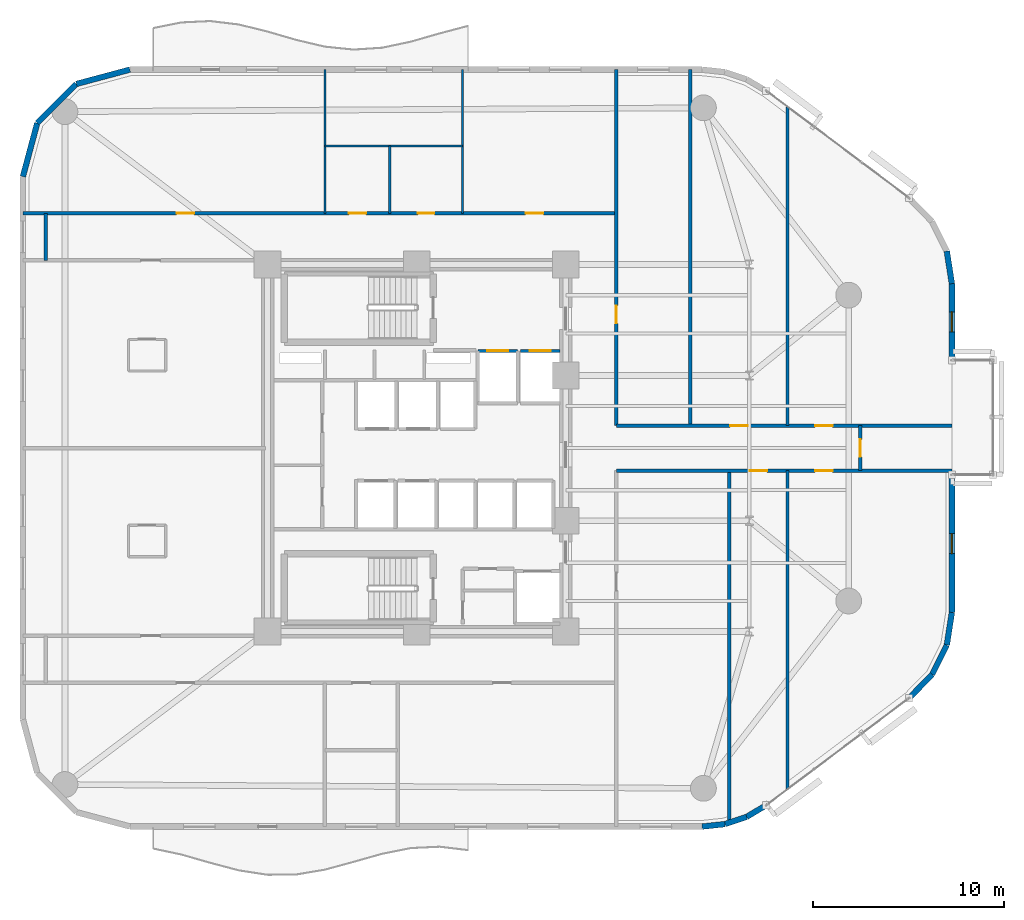
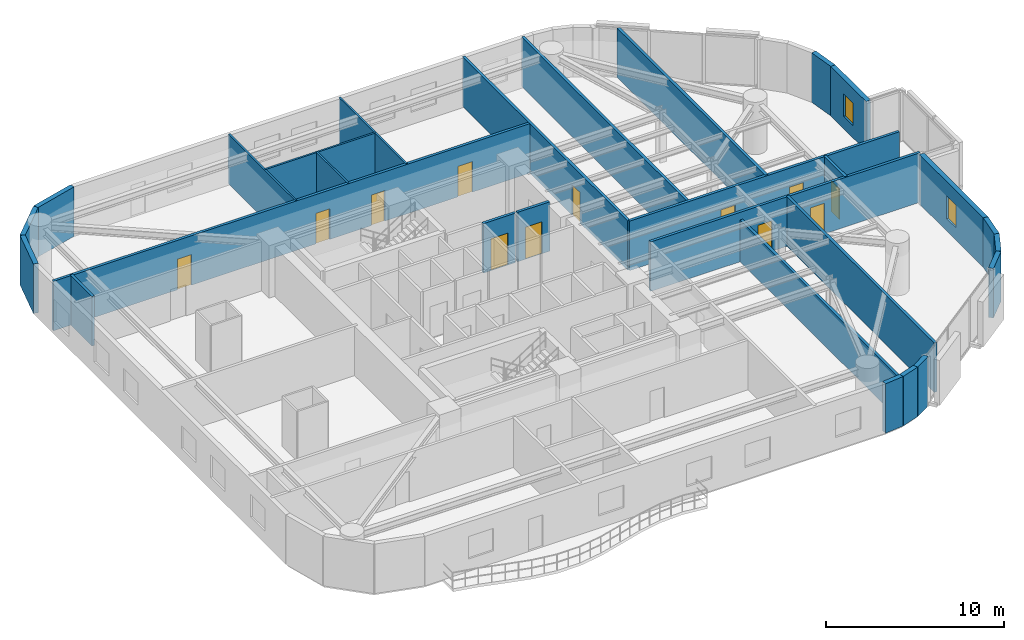
# One storey, part 10 of 14: 28 walls, 12 doors, 2 windows, 14 openings.
"""IFC4 building model written with IfcOpenShell, lengths in metres."""

import ifcopenshell
import ifcopenshell.guid

model = None  # the IFC model being written
_history = None  # IfcOwnerHistory: only IFC2X3 demands one
_inside = {}  # id of a spatial element -> (the spatial element, [elements in it])
_under = {}  # id of a project, library or spatial element -> (it, [spatial elements below it])
_declared = {}  # id of a project -> (the project, [libraries it declares])
_typed = {}  # id of a type object -> (the type object, [elements of that type])
_made_of = {}  # id of a material, layer set ... -> (it, [elements and type objects made of it])


def new_model(schema):
    """Start an empty IFC model of exactly this schema.

    Asked for "IFC4X3", IfcOpenShell would pick the latest addendum, in which some entities
    have other attributes; the version numbers below select the first issue.
    IFC2X3 requires an IfcOwnerHistory on every rooted entity: one is made here for all.
    """
    global model, _history
    if schema == "IFC4X3":
        model = ifcopenshell.file(schema_version=(4, 3, 0, 0))
    else:
        model = ifcopenshell.file(schema=schema)
    _inside.clear()
    _under.clear()
    _declared.clear()
    _typed.clear()
    _made_of.clear()
    _history = None
    if model.schema == "IFC2X3":
        org = make("IfcOrganization", Name="unknown")
        user = make(
            "IfcPersonAndOrganization",
            ThePerson=make("IfcPerson", FamilyName="unknown"),
            TheOrganization=org,
        )
        app = make(
            "IfcApplication",
            ApplicationDeveloper=org,
            Version="unknown",
            ApplicationFullName="unknown",
            ApplicationIdentifier="unknown",
        )
        _history = make(
            "IfcOwnerHistory",
            OwningUser=user,
            OwningApplication=app,
            ChangeAction="ADDED",
            CreationDate=0,
        )
    return model


def make(cls, **values):
    """One entity of the class cls with the attributes given. An attribute that is None is left unset."""
    return model.create_entity(
        cls, **{name: value for name, value in values.items() if value is not None}
    )


def rooted(cls, **values):
    """An entity with a GlobalId (a new one), such as an element, a storey or a relation."""
    return make(cls, GlobalId=ifcopenshell.guid.new(), OwnerHistory=_history, **values)


def si_unit(unit_type, name, prefix=None):
    """IfcSIUnit, for example si_unit("LENGTHUNIT", "METRE", prefix="MILLI")."""
    return make("IfcSIUnit", UnitType=unit_type, Prefix=prefix, Name=name)


def assignment(units):
    """IfcUnitAssignment: the units of a project."""
    return None if units is None else make("IfcUnitAssignment", Units=units)


def point(xyz):
    """IfcCartesianPoint."""
    return None if xyz is None else make("IfcCartesianPoint", Coordinates=xyz)


def direction(xyz):
    """IfcDirection."""
    return None if xyz is None else make("IfcDirection", DirectionRatios=xyz)


def frame(location, z_axis=None, x_axis=None):
    """IfcAxis2Placement3D, a coordinate frame: its origin and axes. An axis left out is left unset."""
    return make(
        "IfcAxis2Placement3D",
        Location=point(location),
        Axis=direction(z_axis),
        RefDirection=direction(x_axis),
    )


def frame_2d(location, x_axis=None):
    """IfcAxis2Placement2D, a coordinate frame in the plane: its origin and x axis."""
    return make(
        "IfcAxis2Placement2D", Location=point(location), RefDirection=direction(x_axis)
    )


def origin():
    """The frame at (0, 0, 0) with its axes left unset."""
    return frame((0.0, 0.0, 0.0))


def place(relative_to, where):
    """IfcLocalPlacement: puts the frame where relative to a parent placement (None: the world)."""
    return make(
        "IfcLocalPlacement", PlacementRelTo=relative_to, RelativePlacement=where
    )


def context(
    kind, dimensions, precision=None, world=None, true_north=None, identifier=None
):
    """IfcGeometricRepresentationContext, for example the 3D "Model" context."""
    return make(
        "IfcGeometricRepresentationContext",
        ContextIdentifier=identifier,
        ContextType=kind,
        CoordinateSpaceDimension=dimensions,
        Precision=precision,
        WorldCoordinateSystem=world,
        TrueNorth=true_north,
    )


def subcontext(parent, identifier, kind, view, scale=None):
    """IfcGeometricRepresentationSubContext, for example "Body" below "Model"."""
    return make(
        "IfcGeometricRepresentationSubContext",
        ContextIdentifier=identifier,
        ContextType=kind,
        ParentContext=parent,
        TargetScale=scale,
        TargetView=view,
    )


def project(units=None, contexts=None):
    """IfcProject with its units and contexts."""
    return rooted(
        "IfcProject",
        Name="project",
        RepresentationContexts=contexts,
        UnitsInContext=assignment(units),
    )


def spatial(cls, under=None, at=None, **own):
    """A site, building, storey or space (cls), placed at a placement, below another one or the project."""
    s = rooted(cls, ObjectPlacement=at, **own)
    if under is not None:
        _under.setdefault(under.id(), (under, []))[1].append(s)
    return s


def profile(cls, at=None, kind="AREA", **sizes):
    """A parametric profile (cls). Its sizes go by their IFC names, for example OverallWidth=200.0."""
    return make(cls, ProfileType=kind, Position=at, **sizes)


def rectangle(**sizes):
    """IfcRectangleProfileDef."""
    return profile("IfcRectangleProfileDef", **sizes)


def extrude(swept, where, along, depth):
    """IfcExtrudedAreaSolid: the profile swept, set in the frame where, extruded along a direction by depth."""
    return make(
        "IfcExtrudedAreaSolid",
        SweptArea=swept,
        Position=where,
        ExtrudedDirection=direction(along),
        Depth=depth,
    )


def shape(context_of_items, identifier, shape_type, items):
    """IfcShapeRepresentation: the items that make up one representation, for example the "Body"."""
    return make(
        "IfcShapeRepresentation",
        ContextOfItems=context_of_items,
        RepresentationIdentifier=identifier,
        RepresentationType=shape_type,
        Items=items,
    )


def material(Name=None, Category=None):
    """IfcMaterial."""
    return make("IfcMaterial", Name=Name, Category=Category)


def layer(
    of_material, thickness, ventilated=None, Name=None, Category=None, Priority=None
):
    """IfcMaterialLayer: one layer of a wall or slab, of a material (None: an air gap)."""
    return make(
        "IfcMaterialLayer",
        Material=of_material,
        LayerThickness=thickness,
        IsVentilated=ventilated,
        Name=Name,
        Category=Category,
        Priority=Priority,
    )


def layer_set(layers, Name=None):
    """IfcMaterialLayerSet."""
    return make("IfcMaterialLayerSet", MaterialLayers=layers, LayerSetName=Name)


def made_of(thing, what):
    """Note that an element or type object is made of a material, layer set ...; save() writes the relation."""
    if what is not None:
        _made_of.setdefault(what.id(), (what, []))[1].append(thing)
    return thing


def type_object(cls, material=None, **own):
    """A type object (cls), such as IfcWallType, which elements share."""
    return made_of(rooted(cls, **own), material)


def element(
    cls,
    number,
    at=None,
    inside=None,
    cuts=None,
    type_object=None,
    material=None,
    context=None,
    identifier="Body",
    shape_type=None,
    held_by="IfcProductDefinitionShape",
    body=None,
    shapes=None,
    **own,
):
    """One element of the class cls, such as IfcWall. Its Tag is "e" and its number.

    at: its placement. inside: the storey or other place that contains it. cuts: it is an
    opening in that element (IfcRelVoidsElement). A single representation is given by context,
    identifier, shape_type and body (its items); several are given by shapes. held_by: the class
    of the entity that holds the representations. save() writes the other relations.
    """
    e = rooted(cls, Tag="e%d" % number, ObjectPlacement=at, **own)
    if body is not None:
        shapes = [shape(context, identifier, shape_type, body)]
    if shapes is not None:
        e.Representation = make(held_by, Representations=shapes)
    if inside is not None:
        _inside.setdefault(inside.id(), (inside, []))[1].append(e)
    if cuts is not None:
        rooted(
            "IfcRelVoidsElement", RelatingBuildingElement=cuts, RelatedOpeningElement=e
        )
    if type_object is not None:
        _typed.setdefault(type_object.id(), (type_object, []))[1].append(e)
    return made_of(e, material)


def fill(opening, filler):
    """IfcRelFillsElement: the door or window that sits in an opening."""
    return rooted(
        "IfcRelFillsElement",
        RelatingOpeningElement=opening,
        RelatedBuildingElement=filler,
    )


def aggregate(whole, parts):
    """IfcRelAggregates: a whole, such as a stair, and the parts it consists of."""
    return rooted("IfcRelAggregates", RelatingObject=whole, RelatedObjects=parts)


def save(model, path):
    """Write the relations noted so far, then the file.

    IfcRelAggregates (storeys below a building ...), IfcRelContainedInSpatialStructure (elements
    in a storey), IfcRelDefinesByType, IfcRelAssociatesMaterial and IfcRelDeclares: one each for
    every whole, place, type object, material and project.
    """
    for whole, parts in _under.values():
        aggregate(whole, parts)
    for where, things in _inside.values():
        rooted(
            "IfcRelContainedInSpatialStructure",
            RelatedElements=things,
            RelatingStructure=where,
        )
    for kind, things in _typed.values():
        rooted("IfcRelDefinesByType", RelatedObjects=things, RelatingType=kind)
    for what, things in _made_of.values():
        rooted("IfcRelAssociatesMaterial", RelatedObjects=things, RelatingMaterial=what)
    for by, libraries in _declared.values():
        rooted("IfcRelDeclares", RelatingContext=by, RelatedDefinitions=libraries)
    model.write(path)


model = new_model("IFC4")

# Units and contexts
model_context = context("Model", 3, precision=1e-05, world=origin(), true_north=direction((0.0, 1.0)))
body_context = subcontext(model_context, "Body", "Model", "MODEL_VIEW")
ifc_project = project(units=[si_unit("LENGTHUNIT", "METRE"), si_unit("AREAUNIT", "SQUARE_METRE"), si_unit("VOLUMEUNIT", "CUBIC_METRE"), si_unit("PLANEANGLEUNIT", "RADIAN"), si_unit("MASSUNIT", "GRAM", prefix="KILO")], contexts=[model_context])

# Site, building, storey
site_placement = place(None, origin())
site = spatial("IfcSite", under=ifc_project, at=site_placement, CompositionType="ELEMENT")
building_placement = place(site_placement, origin())
building = spatial("IfcBuilding", under=site, at=building_placement, Name="An Khanh Terracotta Commons", CompositionType="ELEMENT")
storey_placement = place(building_placement, frame((0.0, 0.0, 115.10009765625)))
storey = spatial("IfcBuildingStorey", under=building, at=storey_placement, Name="L30", CompositionType="ELEMENT", Elevation=115.10009765625)

# Wall, opening, door
ifc_material_1 = material(Name="Fire-Rated Gypsum Board on Steel Stud", Category="steel")
ifc_layer_1 = layer(ifc_material_1, 0.179931640625, Name="Fire-Rated Gypsum Board on Steel Stud")
ifc_layer_set_1 = layer_set([ifc_layer_1], Name="Fire-Rated Gypsum Board on Steel Stud")
wall_type_1 = type_object("IfcWallType", Name="WALL-CORR-180", PredefinedType="PARTITIONING", material=ifc_layer_set_1)
wall_1_placement = place(storey_placement, frame((32.60009765625, 29.080078125, 0.0), z_axis=(0.0, 0.0, 1.0), x_axis=(1.0, 0.0, 0.0)))
wall_1 = element("IfcWall", 1, at=wall_1_placement, inside=storey, type_object=wall_type_1, Name="L30 Core Wall LSH-L30-FFL-01-N", PredefinedType="PARTITIONING", context=body_context, shape_type="SweptSolid", body=[
    extrude(rectangle(XDim=2.079833984375, YDim=0.179931640625, at=frame_2d((1.0400390625, 0.0))), origin(), (0.0, 0.0, 1.0), 3.39990234375),
])
opening_1_placement = place(wall_1_placement, frame((0.489990234375, 0.0, 0.0)))
opening_1 = element("IfcOpeningElement", 2, at=opening_1_placement, cuts=wall_1, Name="Opening LD-FFL-01-L30", PredefinedType="OPENING", context=body_context, shape_type="SweptSolid", body=[
    extrude(rectangle(XDim=1.10009765625, YDim=2.199951171875, at=frame_2d((0.550048828125, 1.10009765625))), frame((0.0, 0.099853515625, 0.0), z_axis=(0.0, -1.0, 0.0), x_axis=(1.0, 0.0, 0.0)), (0.0, 0.0, 1.0), 0.199951171875),
])
ifc_material_2 = material(Name="Brushed Stainless Steel Fire Landing Door", Category="steel")
door_type_1 = type_object("IfcDoorType", Name="DOOR-LD-FFL-1100", OperationType="NOTDEFINED", PredefinedType="DOOR", material=ifc_material_2)
door_1_placement = place(opening_1_placement, origin())
door_1 = element("IfcDoor", 3, at=door_1_placement, inside=storey, type_object=door_type_1, Name="L30 Lift FFL-01 Sliding Landing Door", OperationType="DOUBLE_DOOR_SLIDING", OverallHeight=2.199951171875, OverallWidth=1.10009765625, PredefinedType="DOOR", context=body_context, shape_type="SweptSolid", body=[
    extrude(rectangle(XDim=1.10009765625, YDim=2.199951171875, at=frame_2d((0.550048828125, 1.10009765625))), frame((0.0, 0.02490234375, 0.0), z_axis=(0.0, -1.0, 0.0), x_axis=(1.0, 0.0, 0.0)), (0.0, 0.0, 1.0), 0.050048828125),
])
fill(opening_1, door_1)

wall_2_placement = place(storey_placement, frame((34.820068359375, 29.080078125, 0.0), z_axis=(0.0, 0.0, 1.0), x_axis=(1.0, 0.0, 0.0)))
wall_2 = element("IfcWall", 4, at=wall_2_placement, inside=storey, type_object=wall_type_1, Name="L30 Core Wall LSH-L30-FFL-02-N", PredefinedType="PARTITIONING", context=body_context, shape_type="SweptSolid", body=[
    extrude(rectangle(XDim=2.079833984375, YDim=0.179931640625, at=frame_2d((1.0400390625, 0.0))), origin(), (0.0, 0.0, 1.0), 3.39990234375),
])
opening_2_placement = place(wall_2_placement, frame((0.489990234375, 0.0, 0.0)))
opening_2 = element("IfcOpeningElement", 5, at=opening_2_placement, cuts=wall_2, Name="Opening LD-FFL-02-L30", PredefinedType="OPENING", context=body_context, shape_type="SweptSolid", body=[
    extrude(rectangle(XDim=1.10009765625, YDim=2.199951171875, at=frame_2d((0.550048828125, 1.10009765625))), frame((0.0, 0.099853515625, 0.0), z_axis=(0.0, -1.0, 0.0), x_axis=(1.0, 0.0, 0.0)), (0.0, 0.0, 1.0), 0.199951171875),
])
door_2_placement = place(opening_2_placement, origin())
door_2 = element("IfcDoor", 6, at=door_2_placement, inside=storey, type_object=door_type_1, Name="L30 Lift FFL-02 Sliding Landing Door", OperationType="DOUBLE_DOOR_SLIDING", OverallHeight=2.199951171875, OverallWidth=1.10009765625, PredefinedType="DOOR", context=body_context, shape_type="SweptSolid", body=[
    extrude(rectangle(XDim=1.10009765625, YDim=2.199951171875, at=frame_2d((0.550048828125, 1.10009765625))), frame((0.0, 0.02490234375, 0.0), z_axis=(0.0, -1.0, 0.0), x_axis=(1.0, 0.0, 0.0)), (0.0, 0.0, 1.0), 0.050048828125),
])
fill(opening_2, door_2)

# Wall, openings, doors
wall_3_placement = place(storey_placement, frame((39.85009765625, 22.820068359375, 0.0), z_axis=(0.0, 0.0, 1.0), x_axis=(1.0, 0.0, 0.0)))
wall_3 = element("IfcWall", 7, at=wall_3_placement, inside=storey, type_object=wall_type_1, Name="L30 Interior Partition IW-L30-E004", PredefinedType="PARTITIONING", context=body_context, shape_type="SweptSolid", body=[
    extrude(rectangle(XDim=17.5498046875, YDim=0.179931640625, at=frame_2d((8.77490234375, 0.0))), origin(), (0.0, 0.0, 1.0), 3.39990234375),
])
opening_3_placement = place(wall_3_placement, frame((6.968017578125, 0.0, 0.0)))
opening_3 = element("IfcOpeningElement", 8, at=opening_3_placement, cuts=wall_3, Name="Opening D-RM", PredefinedType="OPENING", context=body_context, shape_type="SweptSolid", body=[
    extrude(rectangle(XDim=0.919921875, YDim=2.10009765625, at=frame_2d((0.4599609375, 1.050048828125))), frame((0.0, 0.099853515625, 0.0), z_axis=(0.0, -1.0, 0.0), x_axis=(1.0, 0.0, 0.0)), (0.0, 0.0, 1.0), 0.199951171875),
])
opening_4_placement = place(wall_3_placement, frame((10.389892578125, 0.0, 0.0)))
opening_4 = element("IfcOpeningElement", 9, at=opening_4_placement, cuts=wall_3, Name="Opening D-RM", PredefinedType="OPENING", context=body_context, shape_type="SweptSolid", body=[
    extrude(rectangle(XDim=0.919921875, YDim=2.10009765625, at=frame_2d((0.4599609375, 1.050048828125))), frame((0.0, 0.099853515625, 0.0), z_axis=(0.0, -1.0, 0.0), x_axis=(1.0, 0.0, 0.0)), (0.0, 0.0, 1.0), 0.199951171875),
])
ifc_material_3 = material(Name="Engineered Hardwood Timber Leaf", Category="wood")
door_type_2 = type_object("IfcDoorType", Name="DOOR-INT-920", OperationType="NOTDEFINED", PredefinedType="DOOR", material=ifc_material_3)
door_3_placement = place(opening_3_placement, origin())
door_3 = element("IfcDoor", 10, at=door_3_placement, inside=storey, type_object=door_type_2, Name="L30 SB2 Co-Living Master Bedroom Door", OperationType="SINGLE_SWING_RIGHT", OverallHeight=2.10009765625, OverallWidth=0.919921875, PredefinedType="DOOR", context=body_context, shape_type="SweptSolid", body=[
    extrude(rectangle(XDim=0.919921875, YDim=2.10009765625, at=frame_2d((0.4599609375, 1.050048828125))), frame((0.0, 0.02490234375, 0.0), z_axis=(0.0, -1.0, 0.0), x_axis=(1.0, 0.0, 0.0)), (0.0, 0.0, 1.0), 0.050048828125),
])
fill(opening_3, door_3)
door_4_placement = place(opening_4_placement, origin())
door_4 = element("IfcDoor", 11, at=door_4_placement, inside=storey, type_object=door_type_2, Name="L30 ENO2 Riverfront Reading Hall Door", OperationType="SINGLE_SWING_RIGHT", OverallHeight=2.10009765625, OverallWidth=0.919921875, PredefinedType="DOOR", context=body_context, shape_type="SweptSolid", body=[
    extrude(rectangle(XDim=0.919921875, YDim=2.10009765625, at=frame_2d((0.4599609375, 1.050048828125))), frame((0.0, 0.02490234375, 0.0), z_axis=(0.0, -1.0, 0.0), x_axis=(1.0, 0.0, 0.0)), (0.0, 0.0, 1.0), 0.050048828125),
])
fill(opening_4, door_4)

wall_4_placement = place(storey_placement, frame((39.85009765625, 25.179931640625, 0.0), z_axis=(0.0, 0.0, 1.0), x_axis=(1.0, 0.0, 0.0)))
wall_4 = element("IfcWall", 12, at=wall_4_placement, inside=storey, type_object=wall_type_1, Name="L30 Interior Partition IW-L30-E006", PredefinedType="PARTITIONING", context=body_context, shape_type="SweptSolid", body=[
    extrude(rectangle(XDim=17.5498046875, YDim=0.179931640625, at=frame_2d((8.77490234375, 0.0))), origin(), (0.0, 0.0, 1.0), 3.39990234375),
])
opening_5_placement = place(wall_4_placement, frame((5.944091796875, 0.0, 0.0)))
opening_5 = element("IfcOpeningElement", 13, at=opening_5_placement, cuts=wall_4, Name="Opening D-RM", PredefinedType="OPENING", context=body_context, shape_type="SweptSolid", body=[
    extrude(rectangle(XDim=0.919921875, YDim=2.10009765625, at=frame_2d((0.4599609375, 1.050048828125))), frame((0.0, 0.099853515625, 0.0), z_axis=(0.0, -1.0, 0.0), x_axis=(1.0, 0.0, 0.0)), (0.0, 0.0, 1.0), 0.199951171875),
])
opening_6_placement = place(wall_4_placement, frame((10.389892578125, 0.0, 0.0)))
opening_6 = element("IfcOpeningElement", 14, at=opening_6_placement, cuts=wall_4, Name="Opening D-RM", PredefinedType="OPENING", context=body_context, shape_type="SweptSolid", body=[
    extrude(rectangle(XDim=0.919921875, YDim=2.10009765625, at=frame_2d((0.4599609375, 1.050048828125))), frame((0.0, 0.099853515625, 0.0), z_axis=(0.0, -1.0, 0.0), x_axis=(1.0, 0.0, 0.0)), (0.0, 0.0, 1.0), 0.199951171875),
])
door_5_placement = place(opening_5_placement, origin())
door_5 = element("IfcDoor", 15, at=door_5_placement, inside=storey, type_object=door_type_2, Name="L30 NB2 Collaborative Study Lounge Door", OperationType="SINGLE_SWING_RIGHT", OverallHeight=2.10009765625, OverallWidth=0.919921875, PredefinedType="DOOR", context=body_context, shape_type="SweptSolid", body=[
    extrude(rectangle(XDim=0.919921875, YDim=2.10009765625, at=frame_2d((0.4599609375, 1.050048828125))), frame((0.0, 0.02490234375, 0.0), z_axis=(0.0, -1.0, 0.0), x_axis=(1.0, 0.0, 0.0)), (0.0, 0.0, 1.0), 0.050048828125),
])
fill(opening_5, door_5)
door_6_placement = place(opening_6_placement, origin())
door_6 = element("IfcDoor", 16, at=door_6_placement, inside=storey, type_object=door_type_2, Name="L30 ENO1 Quiet Focus Office Door", OperationType="SINGLE_SWING_LEFT", OverallHeight=2.10009765625, OverallWidth=0.919921875, PredefinedType="DOOR", context=body_context, shape_type="SweptSolid", body=[
    extrude(rectangle(XDim=0.919921875, YDim=2.10009765625, at=frame_2d((0.4599609375, 1.050048828125))), frame((0.0, 0.02490234375, 0.0), z_axis=(0.0, -1.0, 0.0), x_axis=(1.0, 0.0, 0.0)), (0.0, 0.0, 1.0), 0.050048828125),
])
fill(opening_6, door_6)

wall_5_placement = place(storey_placement, frame((8.800048828125, 36.280029296875, 0.0), z_axis=(0.0, 0.0, 1.0), x_axis=(1.0, 0.0, 0.0)))
wall_5 = element("IfcWall", 17, at=wall_5_placement, inside=storey, type_object=wall_type_1, Name="L30 Interior Partition IW-L30-E008", PredefinedType="PARTITIONING", context=body_context, shape_type="SweptSolid", body=[
    extrude(rectangle(XDim=31.050048828125, YDim=0.179931640625, at=frame_2d((15.52490234375, 0.0))), origin(), (0.0, 0.0, 1.0), 3.39990234375),
])
opening_7_placement = place(wall_5_placement, frame((17.050048828125, 0.0, 0.0)))
opening_7 = element("IfcOpeningElement", 18, at=opening_7_placement, cuts=wall_5, Name="Opening D-WC", PredefinedType="OPENING", context=body_context, shape_type="SweptSolid", body=[
    extrude(rectangle(XDim=0.89990234375, YDim=2.10009765625, at=frame_2d((0.449951171875, 1.050048828125))), frame((0.0, 0.099853515625, 0.0), z_axis=(0.0, -1.0, 0.0), x_axis=(1.0, 0.0, 0.0)), (0.0, 0.0, 1.0), 0.199951171875),
])
opening_8_placement = place(wall_5_placement, frame((20.669921875, 0.0, 0.0)))
opening_8 = element("IfcOpeningElement", 19, at=opening_8_placement, cuts=wall_5, Name="Opening D-ENS", PredefinedType="OPENING", context=body_context, shape_type="SweptSolid", body=[
    extrude(rectangle(XDim=0.860107421875, YDim=2.10009765625, at=frame_2d((0.43017578125, 1.050048828125))), frame((0.0, 0.099853515625, 0.0), z_axis=(0.0, -1.0, 0.0), x_axis=(1.0, 0.0, 0.0)), (0.0, 0.0, 1.0), 0.199951171875),
])
opening_9_placement = place(wall_5_placement, frame((8.0400390625, 0.0, 0.0)))
opening_9 = element("IfcOpeningElement", 20, at=opening_9_placement, cuts=wall_5, Name="Opening D-RM", PredefinedType="OPENING", context=body_context, shape_type="SweptSolid", body=[
    extrude(rectangle(XDim=0.919921875, YDim=2.10009765625, at=frame_2d((0.4599609375, 1.050048828125))), frame((0.0, 0.099853515625, 0.0), z_axis=(0.0, -1.0, 0.0), x_axis=(1.0, 0.0, 0.0)), (0.0, 0.0, 1.0), 0.199951171875),
])
opening_10_placement = place(wall_5_placement, frame((26.304931640625, 0.0, 0.0)))
opening_10 = element("IfcOpeningElement", 21, at=opening_10_placement, cuts=wall_5, Name="Opening D-RM", PredefinedType="OPENING", context=body_context, shape_type="SweptSolid", body=[
    extrude(rectangle(XDim=0.919921875, YDim=2.10009765625, at=frame_2d((0.4599609375, 1.050048828125))), frame((0.0, 0.099853515625, 0.0), z_axis=(0.0, -1.0, 0.0), x_axis=(1.0, 0.0, 0.0)), (0.0, 0.0, 1.0), 0.199951171875),
])
ifc_material_4 = material(Name="Moisture-Resistant Hardwood Timber Leaf", Category="wood")
door_type_3 = type_object("IfcDoorType", Name="DOOR-BATH-860", OperationType="NOTDEFINED", PredefinedType="DOOR", material=ifc_material_4)
door_7_placement = place(opening_8_placement, origin())
door_7 = element("IfcDoor", 22, at=door_7_placement, inside=storey, type_object=door_type_3, Name="L30 SHW Resident Shared Shower and Washroom Door", OperationType="SINGLE_SWING_LEFT", OverallHeight=2.10009765625, OverallWidth=0.860107421875, PredefinedType="DOOR", context=body_context, shape_type="SweptSolid", body=[
    extrude(rectangle(XDim=0.860107421875, YDim=2.10009765625, at=frame_2d((0.43017578125, 1.050048828125))), frame((0.0, 0.02490234375, 0.0), z_axis=(0.0, -1.0, 0.0), x_axis=(1.0, 0.0, 0.0)), (0.0, 0.0, 1.0), 0.050048828125),
])
fill(opening_8, door_7)
door_8_placement = place(opening_9_placement, origin())
door_8 = element("IfcDoor", 23, at=door_8_placement, inside=storey, type_object=door_type_2, Name="L30 NW1 Academic Seminar Room Door", OperationType="SINGLE_SWING_RIGHT", OverallHeight=2.10009765625, OverallWidth=0.919921875, PredefinedType="DOOR", context=body_context, shape_type="SweptSolid", body=[
    extrude(rectangle(XDim=0.919921875, YDim=2.10009765625, at=frame_2d((0.4599609375, 1.050048828125))), frame((0.0, 0.02490234375, 0.0), z_axis=(0.0, -1.0, 0.0), x_axis=(1.0, 0.0, 0.0)), (0.0, 0.0, 1.0), 0.050048828125),
])
fill(opening_9, door_8)
door_9_placement = place(opening_10_placement, origin())
door_9 = element("IfcDoor", 24, at=door_9_placement, inside=storey, type_object=door_type_2, Name="L30 NWE Boardroom Meeting Room Door", OperationType="SINGLE_SWING_LEFT", OverallHeight=2.10009765625, OverallWidth=0.919921875, PredefinedType="DOOR", context=body_context, shape_type="SweptSolid", body=[
    extrude(rectangle(XDim=0.919921875, YDim=2.10009765625, at=frame_2d((0.4599609375, 1.050048828125))), frame((0.0, 0.02490234375, 0.0), z_axis=(0.0, -1.0, 0.0), x_axis=(1.0, 0.0, 0.0)), (0.0, 0.0, 1.0), 0.050048828125),
])
fill(opening_10, door_9)
ifc_material_5 = material(Name="Laminate Moisture-Resistant Timber Leaf", Category="wood")
door_type_4 = type_object("IfcDoorType", Name="DOOR-WC-900", OperationType="NOTDEFINED", PredefinedType="DOOR", material=ifc_material_5)
door_10_placement = place(opening_7_placement, origin())
door_10 = element("IfcDoor", 25, at=door_10_placement, inside=storey, type_object=door_type_4, Name="L30 AWC Accessible WC Door", OperationType="SINGLE_SWING_RIGHT", OverallHeight=2.10009765625, OverallWidth=0.89990234375, PredefinedType="DOOR", context=body_context, shape_type="SweptSolid", body=[
    extrude(rectangle(XDim=0.89990234375, YDim=2.10009765625, at=frame_2d((0.449951171875, 1.050048828125))), frame((0.0, 0.02490234375, 0.0), z_axis=(0.0, -1.0, 0.0), x_axis=(1.0, 0.0, 0.0)), (0.0, 0.0, 1.0), 0.050048828125),
])
fill(opening_7, door_10)

# Wall
wall_6_placement = place(storey_placement, frame((10.0, 33.820068359375, 0.0), z_axis=(0.0, 0.0, 1.0), x_axis=(0.0, 1.0, 0.0)))
element("IfcWall", 26, at=wall_6_placement, inside=storey, type_object=wall_type_1, Name="L30 Interior Partition IW-L30-E011", PredefinedType="PARTITIONING", context=body_context, shape_type="SweptSolid", body=[
    extrude(rectangle(XDim=2.4599609375, YDim=0.179931640625, at=frame_2d((1.22998046875, 0.0))), origin(), (0.0, 0.0, 1.0), 3.39990234375),
])

# Wall, opening, door
wall_7_placement = place(storey_placement, frame((39.85009765625, 25.179931640625, 0.0), z_axis=(0.0, 0.0, 1.0), x_axis=(0.0, 1.0, 0.0)))
wall_7 = element("IfcWall", 27, at=wall_7_placement, inside=storey, type_object=wall_type_1, Name="L30 Interior Partition IW-L30-E018", PredefinedType="PARTITIONING", context=body_context, shape_type="SweptSolid", body=[
    extrude(rectangle(XDim=18.6201171875, YDim=0.179931640625, at=frame_2d((9.31005859375, 0.0))), origin(), (0.0, 0.0, 1.0), 3.39990234375),
])
opening_11_placement = place(wall_7_placement, frame((5.35009765625, 0.0, 0.0)))
opening_11 = element("IfcOpeningElement", 28, at=opening_11_placement, cuts=wall_7, Name="Opening D-RM", PredefinedType="OPENING", context=body_context, shape_type="SweptSolid", body=[
    extrude(rectangle(XDim=0.919921875, YDim=2.10009765625, at=frame_2d((0.4599609375, 1.050048828125))), frame((0.0, 0.099853515625, 0.0), z_axis=(0.0, -1.0, 0.0), x_axis=(1.0, 0.0, 0.0)), (0.0, 0.0, 1.0), 0.199951171875),
])
door_11_placement = place(opening_11_placement, origin())
door_11 = element("IfcDoor", 29, at=door_11_placement, inside=storey, type_object=door_type_2, Name="L30 NB1 Collaborative Study Lounge Door", OperationType="SINGLE_SWING_LEFT", OverallHeight=2.10009765625, OverallWidth=0.919921875, PredefinedType="DOOR", context=body_context, shape_type="SweptSolid", body=[
    extrude(rectangle(XDim=0.919921875, YDim=2.10009765625, at=frame_2d((0.4599609375, 1.050048828125))), frame((0.0, 0.02490234375, 0.0), z_axis=(0.0, -1.0, 0.0), x_axis=(1.0, 0.0, 0.0)), (0.0, 0.0, 1.0), 0.050048828125),
])
fill(opening_11, door_11)

# Walls
wall_8_placement = place(storey_placement, frame((43.7080078125, 25.179931640625, 0.0), z_axis=(0.0, 0.0, 1.0), x_axis=(0.0, 1.0, 0.0)))
element("IfcWall", 30, at=wall_8_placement, inside=storey, type_object=wall_type_1, Name="L30 Interior Partition IW-L30-E019", PredefinedType="PARTITIONING", context=body_context, shape_type="SweptSolid", body=[
    extrude(rectangle(XDim=18.6201171875, YDim=0.179931640625, at=frame_2d((9.31005859375, 0.0))), origin(), (0.0, 0.0, 1.0), 3.39990234375),
])
wall_9_placement = place(storey_placement, frame((45.757080078125, 4.405029296875, 0.0), z_axis=(0.0, 0.0, 1.0), x_axis=(0.0, 1.0, 0.0)))
element("IfcWall", 31, at=wall_9_placement, inside=storey, type_object=wall_type_1, Name="L30 Interior Partition IW-L30-E020", PredefinedType="PARTITIONING", context=body_context, shape_type="SweptSolid", body=[
    extrude(rectangle(XDim=18.4150390625, YDim=0.179931640625, at=frame_2d((9.20751953125, 0.0))), origin(), (0.0, 0.0, 1.0), 2.8818359375),
])
for number, where, z_axis, x_axis, name in (
    (32, (48.800048828125, 6.14990234375, 0.0), (0.0, 0.0, 1.0), (0.0, 1.0, 0.0), "L30 Interior Partition IW-L30-E021"),
    (33, (48.800048828125, 25.179931640625, 0.0), (0.0, 0.0, 1.0), (0.0, 1.0, 0.0), "L30 Interior Partition IW-L30-E022"),
):
    element("IfcWall", number, at=place(storey_placement, frame(where, z_axis=z_axis, x_axis=x_axis)), inside=storey, type_object=wall_type_1, Name=name, PredefinedType="PARTITIONING", context=body_context, shape_type="SweptSolid", body=[
        extrude(rectangle(XDim=16.670166015625, YDim=0.179931640625, at=frame_2d((8.3349609375, 0.0))), origin(), (0.0, 0.0, 1.0), 3.39990234375),
    ])

# Wall, opening, door
wall_10_placement = place(storey_placement, frame((52.60009765625, 22.820068359375, 0.0), z_axis=(0.0, 0.0, 1.0), x_axis=(0.0, 1.0, 0.0)))
wall_10 = element("IfcWall", 34, at=wall_10_placement, inside=storey, type_object=wall_type_1, Name="L30 Interior Partition IW-L30-E023", PredefinedType="PARTITIONING", context=body_context, shape_type="SweptSolid", body=[
    extrude(rectangle(XDim=2.35986328125, YDim=0.179931640625, at=frame_2d((1.179931640625, 0.0))), origin(), (0.0, 0.0, 1.0), 3.39990234375),
])
opening_12_placement = place(wall_10_placement, frame((0.719970703125, 0.0, 0.0)))
opening_12 = element("IfcOpeningElement", 35, at=opening_12_placement, cuts=wall_10, Name="Opening D-RM", PredefinedType="OPENING", context=body_context, shape_type="SweptSolid", body=[
    extrude(rectangle(XDim=0.919921875, YDim=2.10009765625, at=frame_2d((0.4599609375, 1.050048828125))), frame((0.0, 0.099853515625, 0.0), z_axis=(0.0, -1.0, 0.0), x_axis=(1.0, 0.0, 0.0)), (0.0, 0.0, 1.0), 0.199951171875),
])
door_12_placement = place(opening_12_placement, origin())
door_12 = element("IfcDoor", 36, at=door_12_placement, inside=storey, type_object=door_type_2, Name="L30 ENO3 Quiet Focus Office Door", OperationType="SINGLE_SWING_LEFT", OverallHeight=2.10009765625, OverallWidth=0.919921875, PredefinedType="DOOR", context=body_context, shape_type="SweptSolid", body=[
    extrude(rectangle(XDim=0.919921875, YDim=2.10009765625, at=frame_2d((0.4599609375, 1.050048828125))), frame((0.0, 0.02490234375, 0.0), z_axis=(0.0, -1.0, 0.0), x_axis=(1.0, 0.0, 0.0)), (0.0, 0.0, 1.0), 0.050048828125),
])
fill(opening_12, door_12)

# Walls
ifc_material_6 = material(Name="Precast concrete C40/50", Category="concrete")
ifc_layer_2 = layer(ifc_material_6, 0.300048828125, Name="Precast concrete C40/50")
ifc_layer_set_2 = layer_set([ifc_layer_2], Name="Precast concrete C40/50")
wall_type_2 = type_object("IfcWallType", Name="WALL-EXT-300", PredefinedType="SOLIDWALL", material=ifc_layer_set_2)
wall_11_placement = place(storey_placement, frame((44.3330078125, 4.199951171875, 0.0), z_axis=(0.0, 0.0, 1.0), x_axis=(0.994289103787, 0.106720092254, 0.0)))
element("IfcWall", 37, at=wall_11_placement, inside=storey, type_object=wall_type_2, Name="L30 Insulated Terracotta Exterior Wall 5", PredefinedType="SOLIDWALL", context=body_context, shape_type="SweptSolid", body=[
    extrude(rectangle(XDim=1.19873046875, YDim=0.300048828125, at=frame_2d((0.599365234375, 0.0))), origin(), (0.0, 0.0, 1.0), 3.39990234375),
])
wall_12_placement = place(storey_placement, frame((45.52490234375, 4.327880859375, 0.0), z_axis=(0.0, 0.0, 1.0), x_axis=(0.948744332129, 0.316044604847, 0.0)))
element("IfcWall", 38, at=wall_12_placement, inside=storey, type_object=wall_type_2, Name="L30 Insulated Terracotta Exterior Wall 6", PredefinedType="SOLIDWALL", context=body_context, shape_type="SweptSolid", body=[
    extrude(rectangle(XDim=1.19970703125, YDim=0.300048828125, at=frame_2d((0.599853515625, 0.0))), origin(), (0.0, 0.0, 1.0), 3.39990234375),
])
wall_13_placement = place(storey_placement, frame((46.6630859375, 4.70703125, 0.0), z_axis=(0.0, 0.0, 1.0), x_axis=(0.859320591642, 0.511437308749, 0.0)))
element("IfcWall", 39, at=wall_13_placement, inside=storey, type_object=wall_type_2, Name="L30 Insulated Terracotta Exterior Wall 7", PredefinedType="SOLIDWALL", context=body_context, shape_type="SweptSolid", body=[
    extrude(rectangle(XDim=1.19873046875, YDim=0.300048828125, at=frame_2d((0.599365234375, 0.0))), origin(), (0.0, 0.0, 1.0), 3.39990234375),
])
for number, where, z_axis, x_axis, name in (
    (40, (55.159912109375, 10.919921875, 0.0), (0.0, 0.0, 1.0), (0.6983450845, 0.715761233201, 0.0), "L30 Insulated Terracotta Exterior Wall 9"),
    (41, (56.364013671875, 12.154052734375, 0.0), (0.0, 0.0, 1.0), (0.4472135955, 0.894427191, 0.0), "L30 Insulated Terracotta Exterior Wall 10"),
):
    element("IfcWall", number, at=place(storey_placement, frame(where, z_axis=z_axis, x_axis=x_axis)), inside=storey, type_object=wall_type_2, Name=name, PredefinedType="SOLIDWALL", context=body_context, shape_type="SweptSolid", body=[
        extrude(rectangle(XDim=1.72412109375, YDim=0.300048828125, at=frame_2d((0.862060546875, 0.0))), origin(), (0.0, 0.0, 1.0), 3.39990234375),
    ])
wall_14_placement = place(storey_placement, frame((57.135009765625, 13.696044921875, 0.0), z_axis=(0.0, 0.0, 1.0), x_axis=(0.153620989032, 0.988129845581, 0.0)))
element("IfcWall", 42, at=wall_14_placement, inside=storey, type_object=wall_type_2, Name="L30 Insulated Terracotta Exterior Wall 11", PredefinedType="SOLIDWALL", context=body_context, shape_type="SweptSolid", body=[
    extrude(rectangle(XDim=1.724365234375, YDim=0.300048828125, at=frame_2d((0.8623046875, 0.0))), origin(), (0.0, 0.0, 1.0), 3.39990234375),
])

# Wall, opening, window
wall_15_placement = place(storey_placement, frame((57.39990234375, 15.39990234375, 0.0), z_axis=(0.0, 0.0, 1.0), x_axis=(0.0, 1.0, 0.0)))
wall_15 = element("IfcWall", 43, at=wall_15_placement, inside=storey, type_object=wall_type_2, Name="L30 East Nose Wall South", PredefinedType="SOLIDWALL", context=body_context, shape_type="SweptSolid", body=[
    extrude(rectangle(XDim=7.2001953125, YDim=0.300048828125, at=frame_2d((3.60009765625, 0.0))), origin(), (0.0, 0.0, 1.0), 3.39990234375),
])
opening_13_placement = place(wall_15_placement, frame((3.074951171875, 0.0, 0.85009765625)))
opening_13 = element("IfcOpeningElement", 44, at=opening_13_placement, cuts=wall_15, Name="Opening W-06", PredefinedType="OPENING", context=body_context, shape_type="SweptSolid", body=[
    extrude(rectangle(XDim=1.050048828125, YDim=1.550048828125, at=frame_2d((0.52490234375, 0.77490234375))), frame((0.0, 0.159912109375, 0.0), z_axis=(0.0, -1.0, 0.0), x_axis=(1.0, 0.0, 0.0)), (0.0, 0.0, 1.0), 0.320068359375),
])
ifc_material_7 = material(Name="Thermally Broken Aluminium and Low-E Glass", Category="aluminium")
window_type = type_object("IfcWindowType", Name="WIN-COR-1050x1550", PartitioningType="SINGLE_PANEL", PredefinedType="WINDOW", material=ifc_material_7)
window_1_placement = place(opening_13_placement, origin())
window_1 = element("IfcWindow", 45, at=window_1_placement, inside=storey, type_object=window_type, Name="L30 East Nose South Casement Window", OverallHeight=1.550048828125, OverallWidth=1.050048828125, PartitioningType="SINGLE_PANEL", PredefinedType="WINDOW", context=body_context, shape_type="SweptSolid", body=[
    extrude(rectangle(XDim=1.050048828125, YDim=1.550048828125, at=frame_2d((0.52490234375, 0.77490234375))), frame((0.0, 0.030029296875, 0.0), z_axis=(0.0, -1.0, 0.0), x_axis=(1.0, 0.0, 0.0)), (0.0, 0.0, 1.0), 0.06005859375),
])
fill(opening_13, window_1)

wall_16_placement = place(storey_placement, frame((57.39990234375, 28.60009765625, 0.0), z_axis=(0.0, 0.0, 1.0), x_axis=(0.0, 1.0, 0.0)))
wall_16 = element("IfcWall", 46, at=wall_16_placement, inside=storey, type_object=wall_type_2, Name="L30 East Nose Wall North", PredefinedType="SOLIDWALL", context=body_context, shape_type="SweptSolid", body=[
    extrude(rectangle(XDim=4.0, YDim=0.300048828125, at=frame_2d((2.0, 0.0))), origin(), (0.0, 0.0, 1.0), 3.39990234375),
])
opening_14_placement = place(wall_16_placement, frame((1.47509765625, 0.0, 0.85009765625)))
opening_14 = element("IfcOpeningElement", 47, at=opening_14_placement, cuts=wall_16, Name="Opening W-06", PredefinedType="OPENING", context=body_context, shape_type="SweptSolid", body=[
    extrude(rectangle(XDim=1.050048828125, YDim=1.550048828125, at=frame_2d((0.52490234375, 0.77490234375))), frame((0.0, 0.159912109375, 0.0), z_axis=(0.0, -1.0, 0.0), x_axis=(1.0, 0.0, 0.0)), (0.0, 0.0, 1.0), 0.320068359375),
])
window_2_placement = place(opening_14_placement, origin())
window_2 = element("IfcWindow", 48, at=window_2_placement, inside=storey, type_object=window_type, Name="L30 East Nose North Casement Window", OverallHeight=1.550048828125, OverallWidth=1.050048828125, PartitioningType="SINGLE_PANEL", PredefinedType="WINDOW", context=body_context, shape_type="SweptSolid", body=[
    extrude(rectangle(XDim=1.050048828125, YDim=1.550048828125, at=frame_2d((0.52490234375, 0.77490234375))), frame((0.0, 0.030029296875, 0.0), z_axis=(0.0, -1.0, 0.0), x_axis=(1.0, 0.0, 0.0)), (0.0, 0.0, 1.0), 0.06005859375),
])
fill(opening_14, window_2)

# Walls
wall_17_placement = place(storey_placement, frame((57.39990234375, 32.60009765625, 0.0), z_axis=(0.0, 0.0, 1.0), x_axis=(-0.153620989032, 0.988129845581, 0.0)))
element("IfcWall", 49, at=wall_17_placement, inside=storey, type_object=wall_type_2, Name="L30 Insulated Terracotta Exterior Wall 13", PredefinedType="SOLIDWALL", context=body_context, shape_type="SweptSolid", body=[
    extrude(rectangle(XDim=1.724365234375, YDim=0.300048828125, at=frame_2d((0.8623046875, 0.0))), origin(), (0.0, 0.0, 1.0), 3.39990234375),
])
wall_18_placement = place(storey_placement, frame((14.39990234375, 43.800048828125, 0.0), z_axis=(0.0, 0.0, 1.0), x_axis=(-0.965943540406, -0.258752926066, 0.0)))
element("IfcWall", 50, at=wall_18_placement, inside=storey, type_object=wall_type_2, Name="L30 Insulated Terracotta Exterior Wall 21", PredefinedType="SOLIDWALL", context=body_context, shape_type="SweptSolid", body=[
    extrude(rectangle(XDim=2.8984375, YDim=0.300048828125, at=frame_2d((1.44921875, 0.0))), origin(), (0.0, 0.0, 1.0), 3.39990234375),
])
wall_19_placement = place(storey_placement, frame((11.60009765625, 43.050048828125, 0.0), z_axis=(0.0, 0.0, 1.0), x_axis=(-0.707106781187, -0.707106781187, 0.0)))
element("IfcWall", 51, at=wall_19_placement, inside=storey, type_object=wall_type_2, Name="L30 Insulated Terracotta Exterior Wall 22", PredefinedType="SOLIDWALL", context=body_context, shape_type="SweptSolid", body=[
    extrude(rectangle(XDim=2.899169921875, YDim=0.300048828125, at=frame_2d((1.44970703125, 0.0))), origin(), (0.0, 0.0, 1.0), 3.39990234375),
])
wall_20_placement = place(storey_placement, frame((9.550048828125, 41.0, 0.0), z_axis=(0.0, 0.0, 1.0), x_axis=(-0.258731875344, -0.96594917914, 0.0)))
element("IfcWall", 52, at=wall_20_placement, inside=storey, type_object=wall_type_2, Name="L30 Insulated Terracotta Exterior Wall 23", PredefinedType="SOLIDWALL", context=body_context, shape_type="SweptSolid", body=[
    extrude(rectangle(XDim=2.898681640625, YDim=0.300048828125, at=frame_2d((1.44921875, 0.0))), origin(), (0.0, 0.0, 1.0), 3.39990234375),
])
ifc_material_8 = material(Name="Moisture-Resistant Cement Board Partition")
ifc_layer_3 = layer(ifc_material_8, 0.1201171875, Name="Moisture-Resistant Cement Board Partition")
ifc_layer_set_3 = layer_set([ifc_layer_3], Name="Moisture-Resistant Cement Board Partition")
wall_type_3 = type_object("IfcWallType", Name="WALL-WET-120", PredefinedType="PARTITIONING", material=ifc_layer_set_3)
wall_21_placement = place(storey_placement, frame((24.60009765625, 39.800048828125, 0.0), z_axis=(0.0, 0.0, 1.0), x_axis=(1.0, 0.0, 0.0)))
element("IfcWall", 53, at=wall_21_placement, inside=storey, type_object=wall_type_3, Name="L30 Interior Partition IW-L30-E009", PredefinedType="PARTITIONING", context=body_context, shape_type="SweptSolid", body=[
    extrude(rectangle(XDim=7.199951171875, YDim=0.1201171875, at=frame_2d((3.60009765625, 0.0))), origin(), (0.0, 0.0, 1.0), 3.39990234375),
])
wall_22_placement = place(storey_placement, frame((24.60009765625, 36.280029296875, 0.0), z_axis=(0.0, 0.0, 1.0), x_axis=(0.0, 1.0, 0.0)))
element("IfcWall", 54, at=wall_22_placement, inside=storey, type_object=wall_type_3, Name="L30 Interior Partition IW-L30-E013", PredefinedType="PARTITIONING", context=body_context, shape_type="SweptSolid", body=[
    extrude(rectangle(XDim=7.52001953125, YDim=0.1201171875, at=frame_2d((3.760009765625, 0.0))), origin(), (0.0, 0.0, 1.0), 3.39990234375),
])
wall_23_placement = place(storey_placement, frame((28.0, 36.280029296875, 0.0), z_axis=(0.0, 0.0, 1.0), x_axis=(0.0, 1.0, 0.0)))
element("IfcWall", 55, at=wall_23_placement, inside=storey, type_object=wall_type_3, Name="L30 Interior Partition IW-L30-E014", PredefinedType="PARTITIONING", context=body_context, shape_type="SweptSolid", body=[
    extrude(rectangle(XDim=3.52001953125, YDim=0.1201171875, at=frame_2d((1.760009765625, 0.0))), origin(), (0.0, 0.0, 1.0), 3.39990234375),
])
wall_24_placement = place(storey_placement, frame((31.800048828125, 36.280029296875, 0.0), z_axis=(0.0, 0.0, 1.0), x_axis=(0.0, 1.0, 0.0)))
element("IfcWall", 56, at=wall_24_placement, inside=storey, type_object=wall_type_3, Name="L30 Interior Partition IW-L30-E016", PredefinedType="PARTITIONING", context=body_context, shape_type="SweptSolid", body=[
    extrude(rectangle(XDim=7.52001953125, YDim=0.1201171875, at=frame_2d((3.760009765625, 0.0))), origin(), (0.0, 0.0, 1.0), 3.39990234375),
])

save(model, "model.ifc")
